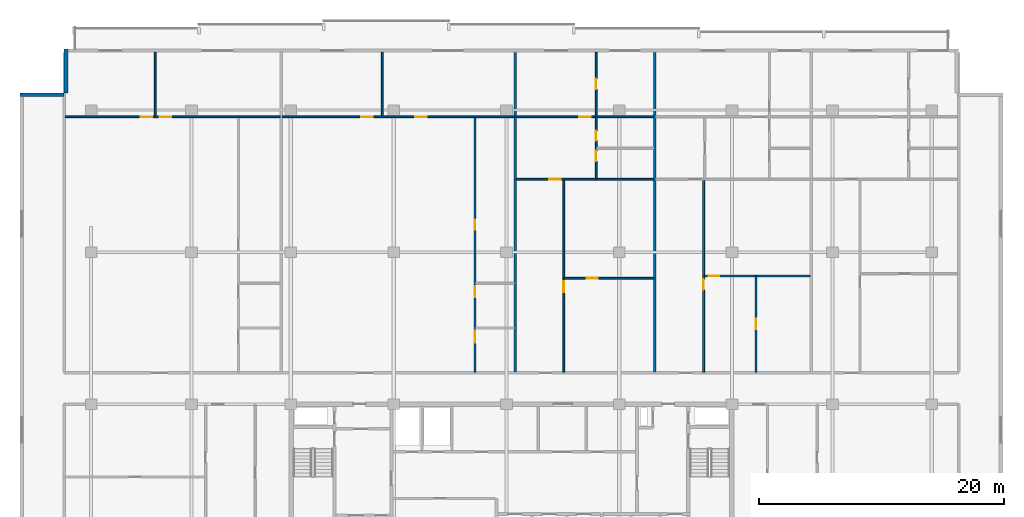
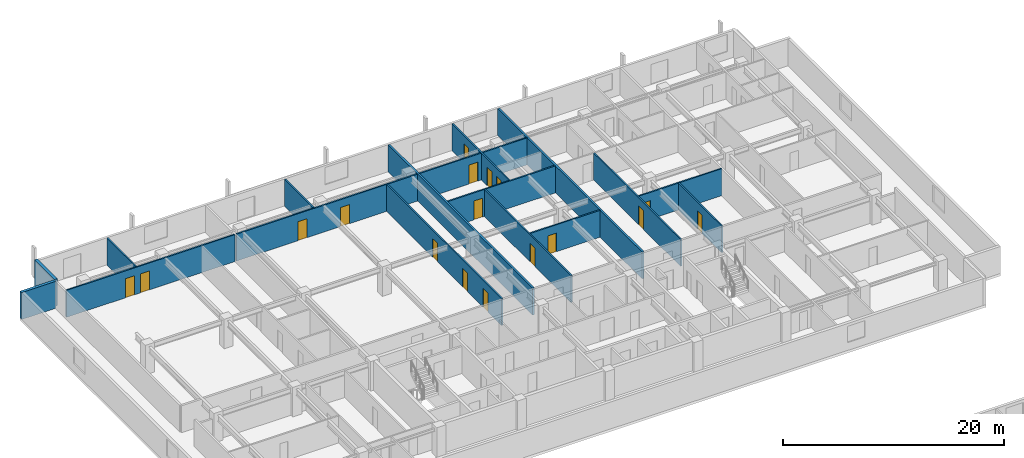
# One storey, part 13 of 21: 17 doors, 17 walls, 17 openings.
"""IFC4 building model written with IfcOpenShell, lengths in metres."""

from ifc_helpers import new_model, si_unit, direction, frame, frame_2d, origin, place, context, subcontext, project, spatial, rectangle, extrude, material, layer, layer_set, type_object, element, fill, save


model = new_model("IFC4")

# Units and contexts
model_context = context("Model", 3, precision=1e-05, world=origin(), true_north=direction((0.0, 1.0)))
body_context = subcontext(model_context, "Body", "Model", "MODEL_VIEW")
ifc_project = project(units=[si_unit("LENGTHUNIT", "METRE"), si_unit("AREAUNIT", "SQUARE_METRE"), si_unit("VOLUMEUNIT", "CUBIC_METRE"), si_unit("PLANEANGLEUNIT", "RADIAN"), si_unit("MASSUNIT", "GRAM", prefix="KILO")], contexts=[model_context])

# Site, building, storey
site_placement = place(None, origin())
site = spatial("IfcSite", under=ifc_project, at=site_placement, CompositionType="ELEMENT")
building_placement = place(site_placement, origin())
building = spatial("IfcBuilding", under=site, at=building_placement, Name="Korimba Cascade Residences", CompositionType="ELEMENT")
storey_placement = place(building_placement, frame((0.0, 0.0, 106.800048828125)))
storey = spatial("IfcBuildingStorey", under=building, at=storey_placement, Name="L30", CompositionType="ELEMENT", Elevation=106.800048828125)

# Walls
ifc_material_1 = material(Name="Precast concrete C40/50", Category="concrete")
ifc_layer_1 = layer(ifc_material_1, 0.300048828125)
ifc_layer_set_1 = layer_set([ifc_layer_1], Name="Precast concrete C40/50")
wall_type_1 = type_object("IfcWallType", Name="EW-STONE-300", PredefinedType="STANDARD", material=ifc_layer_set_1)
wall_1_placement = place(storey_placement, frame((57.75, 96.199951171875, 0.0), z_axis=(0.0, 0.0, 1.0), x_axis=(0.0, -1.0, 0.0)))
element("IfcWall", 1, at=wall_1_placement, inside=storey, type_object=wall_type_1, Name="L30 T1 Perimeter Stone Wall E07", PredefinedType="STANDARD", context=body_context, shape_type="SweptSolid", body=[
    extrude(rectangle(XDim=3.599853515625, YDim=0.300048828125, at=frame_2d((1.7998046875, 0.0))), origin(), (0.0, 0.0, 1.0), 2.969970703125),
])
wall_2_placement = place(storey_placement, frame((57.60009765625, 92.449951171875, 0.0), z_axis=(0.0, 0.0, 1.0), x_axis=(-1.0, 0.0, 0.0)))
element("IfcWall", 2, at=wall_2_placement, inside=storey, type_object=wall_type_1, Name="L30 T1 Perimeter Stone Wall E08", PredefinedType="STANDARD", context=body_context, shape_type="SweptSolid", body=[
    extrude(rectangle(XDim=3.60009765625, YDim=0.300048828125, at=frame_2d((1.800048828125, 0.0))), origin(), (0.0, 0.0, 1.0), 2.969970703125),
])
ifc_layer_2 = layer(ifc_material_1, 0.199951171875)
ifc_layer_set_2 = layer_set([ifc_layer_2], Name="Precast concrete C40/50")
wall_type_2 = type_object("IfcWallType", Name="WAL-IT-200", PredefinedType="PARTITIONING", material=ifc_layer_set_2)
for number, where, z_axis, x_axis, name in (
    (3, (94.400634765625, 69.830078125, 0.0), (0.0, 0.0, 1.0), (0.0, 1.0, 0.0), "L30 Partition Wall WAL-L30-T1-DEM-2"),
    (4, (105.816650390625, 69.830078125, 0.0), (0.0, 0.0, 1.0), (0.0, 1.0, 0.0), "L30 Partition Wall WAL-L30-T1-DEM-3"),
):
    element("IfcWall", number, at=place(storey_placement, frame(where, z_axis=z_axis, x_axis=x_axis)), inside=storey, type_object=wall_type_2, Name=name, PredefinedType="PARTITIONING", context=body_context, shape_type="SweptSolid", body=[
        extrude(rectangle(XDim=26.06982421875, YDim=0.199951171875, at=frame_2d((13.034912109375, 0.0))), origin(), (0.0, 0.0, 1.0), 2.969970703125),
    ])
ifc_material_2 = material(Name="Insulated Acoustic Stud Partition", Category="gypsum")
ifc_layer_3 = layer(ifc_material_2, 0.14990234375)
ifc_layer_set_3 = layer_set([ifc_layer_3], Name="Insulated Acoustic Stud Partition")
wall_type_3 = type_object("IfcWallType", Name="WAL-PART-150", PredefinedType="PARTITIONING", material=ifc_layer_set_3)
wall_3_placement = place(storey_placement, frame((65.042236328125, 90.72998046875, 0.0), z_axis=(0.0, 0.0, 1.0), x_axis=(0.0, 1.0, 0.0)))
element("IfcWall", 5, at=wall_3_placement, inside=storey, type_object=wall_type_3, Name="L30 Partition Wall WAL-L30-T1-U01-OUTV", PredefinedType="PARTITIONING", context=body_context, shape_type="SweptSolid", body=[
    extrude(rectangle(XDim=5.169921875, YDim=0.14990234375, at=frame_2d((2.5849609375, 0.0))), origin(), (0.0, 0.0, 1.0), 2.969970703125),
])

# Wall, openings, doors
wall_4_placement = place(storey_placement, frame((57.679931640625, 90.64990234375, 0.0), z_axis=(0.0, 0.0, 1.0), x_axis=(1.0, 0.0, 0.0)))
wall_4 = element("IfcWall", 6, at=wall_4_placement, inside=storey, type_object=wall_type_3, Name="L30 Partition Wall WAL-L30-T1-U01-HZ", PredefinedType="PARTITIONING", context=body_context, shape_type="SweptSolid", body=[
    extrude(rectangle(XDim=17.564697265625, YDim=0.14990234375, at=frame_2d((8.7822265625, 0.0))), origin(), (0.0, 0.0, 1.0), 2.969970703125),
])
opening_1_placement = place(wall_4_placement, frame((6.17236328125, 0.0, 0.0)))
opening_1 = element("IfcOpeningElement", 7, at=opening_1_placement, cuts=wall_4, Name="Opening D-IN0", PredefinedType="OPENING", context=body_context, shape_type="SweptSolid", body=[
    extrude(rectangle(XDim=0.93994140625, YDim=2.10009765625, at=frame_2d((0.469970703125, 1.050048828125))), frame((0.0, 0.0849609375, 0.0), z_axis=(0.0, -1.0, 0.0), x_axis=(1.0, 0.0, 0.0)), (0.0, 0.0, 1.0), 0.169921875),
])
opening_2_placement = place(wall_4_placement, frame((7.718994140625, 0.0, 0.0)))
opening_2 = element("IfcOpeningElement", 8, at=opening_2_placement, cuts=wall_4, Name="Opening D-IN0", PredefinedType="OPENING", context=body_context, shape_type="SweptSolid", body=[
    extrude(rectangle(XDim=0.93994140625, YDim=2.10009765625, at=frame_2d((0.469970703125, 1.050048828125))), frame((0.0, 0.0849609375, 0.0), z_axis=(0.0, -1.0, 0.0), x_axis=(1.0, 0.0, 0.0)), (0.0, 0.0, 1.0), 0.169921875),
])
ifc_material_3 = material(Name="Acoustic Timber Living Archway Door", Category="wood")
door_type_1 = type_object("IfcDoorType", Name="DR-INT-950", OperationType="NOTDEFINED", PredefinedType="DOOR", material=ifc_material_3)
door_1_placement = place(opening_1_placement, origin())
door_1 = element("IfcDoor", 9, at=door_1_placement, inside=storey, type_object=door_type_1, Name="L30-T1-U01 Fitness Pilates Gym Door", OperationType="SINGLE_SWING_RIGHT", OverallHeight=2.10009765625, OverallWidth=0.93994140625, PredefinedType="DOOR", context=body_context, shape_type="SweptSolid", body=[
    extrude(rectangle(XDim=0.93994140625, YDim=2.10009765625, at=frame_2d((0.469970703125, 1.050048828125))), frame((0.0, 0.02490234375, 0.0), z_axis=(0.0, -1.0, 0.0), x_axis=(1.0, 0.0, 0.0)), (0.0, 0.0, 1.0), 0.050048828125),
])
fill(opening_1, door_1)
door_2_placement = place(opening_2_placement, origin())
door_2 = element("IfcDoor", 10, at=door_2_placement, inside=storey, type_object=door_type_1, Name="L30-T1-U01 Private Screening Cinema Door", OperationType="SINGLE_SWING_LEFT", OverallHeight=2.10009765625, OverallWidth=0.93994140625, PredefinedType="DOOR", context=body_context, shape_type="SweptSolid", body=[
    extrude(rectangle(XDim=0.93994140625, YDim=2.10009765625, at=frame_2d((0.469970703125, 1.050048828125))), frame((0.0, 0.02490234375, 0.0), z_axis=(0.0, -1.0, 0.0), x_axis=(1.0, 0.0, 0.0)), (0.0, 0.0, 1.0), 0.050048828125),
])
fill(opening_2, door_2)

wall_5_placement = place(storey_placement, frame((91.130615234375, 69.81005859375, 0.0), z_axis=(0.0, 0.0, 1.0), x_axis=(0.0, 1.0, 0.0)))
wall_5 = element("IfcWall", 11, at=wall_5_placement, inside=storey, type_object=wall_type_3, Name="L30 Partition Wall WAL-L30-T1-U02-WCV", PredefinedType="PARTITIONING", context=body_context, shape_type="SweptSolid", body=[
    extrude(rectangle(XDim=20.780029296875, YDim=0.14990234375, at=frame_2d((10.39013671875, 0.0))), origin(), (0.0, 0.0, 1.0), 2.969970703125),
])
opening_3_placement = place(wall_5_placement, frame((2.406005859375, 0.0, 0.0)))
opening_3 = element("IfcOpeningElement", 12, at=opening_3_placement, cuts=wall_5, Name="Opening D-AC1", PredefinedType="OPENING", context=body_context, shape_type="SweptSolid", body=[
    extrude(rectangle(XDim=0.9599609375, YDim=2.10009765625, at=frame_2d((0.47998046875, 1.050048828125))), frame((0.0, 0.0849609375, 0.0), z_axis=(0.0, -1.0, 0.0), x_axis=(1.0, 0.0, 0.0)), (0.0, 0.0, 1.0), 0.169921875),
])
opening_4_placement = place(wall_5_placement, frame((6.132568359375, 0.0, 0.0)))
opening_4 = element("IfcOpeningElement", 13, at=opening_4_placement, cuts=wall_5, Name="Opening D-IN2", PredefinedType="OPENING", context=body_context, shape_type="SweptSolid", body=[
    extrude(rectangle(XDim=0.8798828125, YDim=2.06005859375, at=frame_2d((0.43994140625, 1.030029296875))), frame((0.0, 0.0849609375, 0.0), z_axis=(0.0, -1.0, 0.0), x_axis=(1.0, 0.0, 0.0)), (0.0, 0.0, 1.0), 0.169921875),
])
opening_5_placement = place(wall_5_placement, frame((11.61474609375, 0.0, 0.0)))
opening_5 = element("IfcOpeningElement", 14, at=opening_5_placement, cuts=wall_5, Name="Opening D-BT1", PredefinedType="OPENING", context=body_context, shape_type="SweptSolid", body=[
    extrude(rectangle(XDim=0.840087890625, YDim=2.0400390625, at=frame_2d((0.419921875, 1.02001953125))), frame((0.0, 0.0849609375, 0.0), z_axis=(0.0, -1.0, 0.0), x_axis=(1.0, 0.0, 0.0)), (0.0, 0.0, 1.0), 0.169921875),
])
ifc_material_4 = material(Name="Accessible Acoustic Timber WC Door", Category="wood")
door_type_2 = type_object("IfcDoorType", Name="DR-ACC-950", OperationType="NOTDEFINED", PredefinedType="DOOR", material=ifc_material_4)
door_3_placement = place(opening_3_placement, origin())
door_3 = element("IfcDoor", 15, at=door_3_placement, inside=storey, type_object=door_type_2, Name="L30-T1-U02 Accessible WC Door", OperationType="SINGLE_SWING_RIGHT", OverallHeight=2.10009765625, OverallWidth=0.9599609375, PredefinedType="DOOR", context=body_context, shape_type="SweptSolid", body=[
    extrude(rectangle(XDim=0.9599609375, YDim=2.10009765625, at=frame_2d((0.47998046875, 1.050048828125))), frame((0.0, 0.02490234375, 0.0), z_axis=(0.0, -1.0, 0.0), x_axis=(1.0, 0.0, 0.0)), (0.0, 0.0, 1.0), 0.050048828125),
])
fill(opening_3, door_3)
ifc_material_5 = material(Name="Moisture-Resistant Bathroom Timber Door", Category="wood")
door_type_3 = type_object("IfcDoorType", Name="DR-INT-850", OperationType="NOTDEFINED", PredefinedType="DOOR", material=ifc_material_5)
door_4_placement = place(opening_5_placement, origin())
door_4 = element("IfcDoor", 16, at=door_4_placement, inside=storey, type_object=door_type_3, Name="L30-T1-U02 Suite Store Door", OperationType="SINGLE_SWING_RIGHT", OverallHeight=2.0400390625, OverallWidth=0.840087890625, PredefinedType="DOOR", context=body_context, shape_type="SweptSolid", body=[
    extrude(rectangle(XDim=0.840087890625, YDim=2.0400390625, at=frame_2d((0.419921875, 1.02001953125))), frame((0.0, 0.02490234375, 0.0), z_axis=(0.0, -1.0, 0.0), x_axis=(1.0, 0.0, 0.0)), (0.0, 0.0, 1.0), 0.050048828125),
])
fill(opening_5, door_4)
ifc_material_6 = material(Name="Acoustic Timber Bedroom Door", Category="wood")
door_type_4 = type_object("IfcDoorType", Name="DR-INT-880", OperationType="NOTDEFINED", PredefinedType="DOOR", material=ifc_material_6)
door_5_placement = place(opening_4_placement, origin())
door_5 = element("IfcDoor", 17, at=door_5_placement, inside=storey, type_object=door_type_4, Name="L30-T1-U02 Restroom WC Door", OperationType="SINGLE_SWING_LEFT", OverallHeight=2.06005859375, OverallWidth=0.8798828125, PredefinedType="DOOR", context=body_context, shape_type="SweptSolid", body=[
    extrude(rectangle(XDim=0.8798828125, YDim=2.06005859375, at=frame_2d((0.43994140625, 1.030029296875))), frame((0.0, 0.02490234375, 0.0), z_axis=(0.0, -1.0, 0.0), x_axis=(1.0, 0.0, 0.0)), (0.0, 0.0, 1.0), 0.050048828125),
])
fill(opening_4, door_5)

# Wall
wall_6_placement = place(storey_placement, frame((83.5576171875, 90.72998046875, 0.0), z_axis=(0.0, 0.0, 1.0), x_axis=(0.0, 1.0, 0.0)))
element("IfcWall", 18, at=wall_6_placement, inside=storey, type_object=wall_type_3, Name="L30 Partition Wall WAL-L30-T1-U02-OUTV", PredefinedType="PARTITIONING", context=body_context, shape_type="SweptSolid", body=[
    extrude(rectangle(XDim=5.169921875, YDim=0.14990234375, at=frame_2d((2.5849609375, 0.0))), origin(), (0.0, 0.0, 1.0), 2.969970703125),
])

# Wall, openings, doors
wall_7_placement = place(storey_placement, frame((75.40478515625, 90.64990234375, 0.0), z_axis=(0.0, 0.0, 1.0), x_axis=(1.0, 0.0, 0.0)))
wall_7 = element("IfcWall", 19, at=wall_7_placement, inside=storey, type_object=wall_type_3, Name="L30 Partition Wall WAL-L30-T1-U02-HZ", PredefinedType="PARTITIONING", context=body_context, shape_type="SweptSolid", body=[
    extrude(rectangle(XDim=18.915771484375, YDim=0.14990234375, at=frame_2d((9.4580078125, 0.0))), origin(), (0.0, 0.0, 1.0), 2.969970703125),
])
opening_6_placement = place(wall_7_placement, frame((6.42578125, 0.0, 0.0)))
opening_6 = element("IfcOpeningElement", 20, at=opening_6_placement, cuts=wall_7, Name="Opening D-IN0", PredefinedType="OPENING", context=body_context, shape_type="SweptSolid", body=[
    extrude(rectangle(XDim=0.93994140625, YDim=2.10009765625, at=frame_2d((0.469970703125, 1.050048828125))), frame((0.0, 0.0849609375, 0.0), z_axis=(0.0, -1.0, 0.0), x_axis=(1.0, 0.0, 0.0)), (0.0, 0.0, 1.0), 0.169921875),
])
opening_7_placement = place(wall_7_placement, frame((10.856201171875, 0.0, 0.0)))
opening_7 = element("IfcOpeningElement", 21, at=opening_7_placement, cuts=wall_7, Name="Opening D-IN0", PredefinedType="OPENING", context=body_context, shape_type="SweptSolid", body=[
    extrude(rectangle(XDim=0.93994140625, YDim=2.10009765625, at=frame_2d((0.469970703125, 1.050048828125))), frame((0.0, 0.0849609375, 0.0), z_axis=(0.0, -1.0, 0.0), x_axis=(1.0, 0.0, 0.0)), (0.0, 0.0, 1.0), 0.169921875),
])
door_6_placement = place(opening_6_placement, origin())
door_6 = element("IfcDoor", 22, at=door_6_placement, inside=storey, type_object=door_type_1, Name="L30-T1-U02 Fitness Pilates Gym Door", OperationType="SINGLE_SWING_LEFT", OverallHeight=2.10009765625, OverallWidth=0.93994140625, PredefinedType="DOOR", context=body_context, shape_type="SweptSolid", body=[
    extrude(rectangle(XDim=0.93994140625, YDim=2.10009765625, at=frame_2d((0.469970703125, 1.050048828125))), frame((0.0, 0.02490234375, 0.0), z_axis=(0.0, -1.0, 0.0), x_axis=(1.0, 0.0, 0.0)), (0.0, 0.0, 1.0), 0.050048828125),
])
fill(opening_6, door_6)
door_7_placement = place(opening_7_placement, origin())
door_7 = element("IfcDoor", 23, at=door_7_placement, inside=storey, type_object=door_type_1, Name="L30-T1-U02 Private Screening Cinema Door", OperationType="SINGLE_SWING_RIGHT", OverallHeight=2.10009765625, OverallWidth=0.93994140625, PredefinedType="DOOR", context=body_context, shape_type="SweptSolid", body=[
    extrude(rectangle(XDim=0.93994140625, YDim=2.10009765625, at=frame_2d((0.469970703125, 1.050048828125))), frame((0.0, 0.02490234375, 0.0), z_axis=(0.0, -1.0, 0.0), x_axis=(1.0, 0.0, 0.0)), (0.0, 0.0, 1.0), 0.050048828125),
])
fill(opening_7, door_7)

# Wall, opening, door
wall_8_placement = place(storey_placement, frame((98.4306640625, 77.47998046875, 0.0), z_axis=(0.0, 0.0, 1.0), x_axis=(1.0, 0.0, 0.0)))
wall_8 = element("IfcWall", 24, at=wall_8_placement, inside=storey, type_object=wall_type_3, Name="L30 Partition Wall WAL-L30-T1-U03-FMH", PredefinedType="PARTITIONING", context=body_context, shape_type="SweptSolid", body=[
    extrude(rectangle(XDim=7.305908203125, YDim=0.14990234375, at=frame_2d((3.65283203125, 0.0))), origin(), (0.0, 0.0, 1.0), 2.969970703125),
])
opening_8_placement = place(wall_8_placement, frame((1.8388671875, 0.0, 0.0)))
opening_8 = element("IfcOpeningElement", 25, at=opening_8_placement, cuts=wall_8, Name="Opening D-IN2", PredefinedType="OPENING", context=body_context, shape_type="SweptSolid", body=[
    extrude(rectangle(XDim=0.8798828125, YDim=2.06005859375, at=frame_2d((0.43994140625, 1.030029296875))), frame((0.0, 0.0849609375, 0.0), z_axis=(0.0, -1.0, 0.0), x_axis=(1.0, 0.0, 0.0)), (0.0, 0.0, 1.0), 0.169921875),
])
door_8_placement = place(opening_8_placement, origin())
door_8 = element("IfcDoor", 26, at=door_8_placement, inside=storey, type_object=door_type_4, Name="L30-T1-U03 Library Salon Door", OperationType="SINGLE_SWING_LEFT", OverallHeight=2.06005859375, OverallWidth=0.8798828125, PredefinedType="DOOR", context=body_context, shape_type="SweptSolid", body=[
    extrude(rectangle(XDim=0.8798828125, YDim=2.06005859375, at=frame_2d((0.43994140625, 1.030029296875))), frame((0.0, 0.02490234375, 0.0), z_axis=(0.0, -1.0, 0.0), x_axis=(1.0, 0.0, 0.0)), (0.0, 0.0, 1.0), 0.050048828125),
])
fill(opening_8, door_8)

wall_9_placement = place(storey_placement, frame((98.37060546875, 69.81005859375, 0.0), z_axis=(0.0, 0.0, 1.0), x_axis=(0.0, 1.0, 0.0)))
wall_9 = element("IfcWall", 27, at=wall_9_placement, inside=storey, type_object=wall_type_3, Name="L30 Partition Wall WAL-L30-T1-U03-FV", PredefinedType="PARTITIONING", context=body_context, shape_type="SweptSolid", body=[
    extrude(rectangle(XDim=15.699951171875, YDim=0.14990234375, at=frame_2d((7.85009765625, 0.0))), origin(), (0.0, 0.0, 1.0), 2.969970703125),
])
opening_9_placement = place(wall_9_placement, frame((6.5400390625, 0.0, 0.0)))
opening_9 = element("IfcOpeningElement", 28, at=opening_9_placement, cuts=wall_9, Name="Opening D-IN2", PredefinedType="OPENING", context=body_context, shape_type="SweptSolid", body=[
    extrude(rectangle(XDim=0.8798828125, YDim=2.06005859375, at=frame_2d((0.43994140625, 1.030029296875))), frame((0.0, 0.0849609375, 0.0), z_axis=(0.0, -1.0, 0.0), x_axis=(1.0, 0.0, 0.0)), (0.0, 0.0, 1.0), 0.169921875),
])
door_9_placement = place(opening_9_placement, origin())
door_9 = element("IfcDoor", 29, at=door_9_placement, inside=storey, type_object=door_type_4, Name="L30-T1-U03 Media Lounge Door", OperationType="SINGLE_SWING_RIGHT", OverallHeight=2.06005859375, OverallWidth=0.8798828125, PredefinedType="DOOR", context=body_context, shape_type="SweptSolid", body=[
    extrude(rectangle(XDim=0.8798828125, YDim=2.06005859375, at=frame_2d((0.43994140625, 1.030029296875))), frame((0.0, 0.02490234375, 0.0), z_axis=(0.0, -1.0, 0.0), x_axis=(1.0, 0.0, 0.0)), (0.0, 0.0, 1.0), 0.050048828125),
])
fill(opening_9, door_9)

# Wall, openings, doors
wall_10_placement = place(storey_placement, frame((101.02001953125, 85.590087890625, 0.0), z_axis=(0.0, 0.0, 1.0), x_axis=(0.0, 1.0, 0.0)))
wall_10 = element("IfcWall", 30, at=wall_10_placement, inside=storey, type_object=wall_type_3, Name="L30 Partition Wall WAL-L30-T1-U03-V1", PredefinedType="PARTITIONING", context=body_context, shape_type="SweptSolid", body=[
    extrude(rectangle(XDim=10.309814453125, YDim=0.14990234375, at=frame_2d((5.15478515625, 0.0))), origin(), (0.0, 0.0, 1.0), 2.969970703125),
])
opening_10_placement = place(wall_10_placement, frame((1.430419921875, 0.0, 0.0)))
opening_10 = element("IfcOpeningElement", 31, at=opening_10_placement, cuts=wall_10, Name="Opening D-BT1", PredefinedType="OPENING", context=body_context, shape_type="SweptSolid", body=[
    extrude(rectangle(XDim=0.840087890625, YDim=2.0400390625, at=frame_2d((0.419921875, 1.02001953125))), frame((0.0, 0.0849609375, 0.0), z_axis=(0.0, -1.0, 0.0), x_axis=(1.0, 0.0, 0.0)), (0.0, 0.0, 1.0), 0.169921875),
])
opening_11_placement = place(wall_10_placement, frame((3.1015625, 0.0, 0.0)))
opening_11 = element("IfcOpeningElement", 32, at=opening_11_placement, cuts=wall_10, Name="Opening D-BT1", PredefinedType="OPENING", context=body_context, shape_type="SweptSolid", body=[
    extrude(rectangle(XDim=0.840087890625, YDim=2.0400390625, at=frame_2d((0.419921875, 1.02001953125))), frame((0.0, 0.0849609375, 0.0), z_axis=(0.0, -1.0, 0.0), x_axis=(1.0, 0.0, 0.0)), (0.0, 0.0, 1.0), 0.169921875),
])
opening_12_placement = place(wall_10_placement, frame((7.28955078125, 0.0, 0.0)))
opening_12 = element("IfcOpeningElement", 33, at=opening_12_placement, cuts=wall_10, Name="Opening D-IN2", PredefinedType="OPENING", context=body_context, shape_type="SweptSolid", body=[
    extrude(rectangle(XDim=0.8798828125, YDim=2.06005859375, at=frame_2d((0.43994140625, 1.030029296875))), frame((0.0, 0.0849609375, 0.0), z_axis=(0.0, -1.0, 0.0), x_axis=(1.0, 0.0, 0.0)), (0.0, 0.0, 1.0), 0.169921875),
])
door_10_placement = place(opening_10_placement, origin())
door_10 = element("IfcDoor", 34, at=door_10_placement, inside=storey, type_object=door_type_3, Name="L30-T1-U03 Bathroom Door", OperationType="SINGLE_SWING_LEFT", OverallHeight=2.0400390625, OverallWidth=0.840087890625, PredefinedType="DOOR", context=body_context, shape_type="SweptSolid", body=[
    extrude(rectangle(XDim=0.840087890625, YDim=2.0400390625, at=frame_2d((0.419921875, 1.02001953125))), frame((0.0, 0.02490234375, 0.0), z_axis=(0.0, -1.0, 0.0), x_axis=(1.0, 0.0, 0.0)), (0.0, 0.0, 1.0), 0.050048828125),
])
fill(opening_10, door_10)
door_11_placement = place(opening_11_placement, origin())
door_11 = element("IfcDoor", 35, at=door_11_placement, inside=storey, type_object=door_type_3, Name="L30-T1-U03 Laundry Door", OperationType="SINGLE_SWING_RIGHT", OverallHeight=2.0400390625, OverallWidth=0.840087890625, PredefinedType="DOOR", context=body_context, shape_type="SweptSolid", body=[
    extrude(rectangle(XDim=0.840087890625, YDim=2.0400390625, at=frame_2d((0.419921875, 1.02001953125))), frame((0.0, 0.02490234375, 0.0), z_axis=(0.0, -1.0, 0.0), x_axis=(1.0, 0.0, 0.0)), (0.0, 0.0, 1.0), 0.050048828125),
])
fill(opening_11, door_11)
door_12_placement = place(opening_12_placement, origin())
door_12 = element("IfcDoor", 36, at=door_12_placement, inside=storey, type_object=door_type_4, Name="L30-T1-U03 Bedroom 1 Door", OperationType="SINGLE_SWING_LEFT", OverallHeight=2.06005859375, OverallWidth=0.8798828125, PredefinedType="DOOR", context=body_context, shape_type="SweptSolid", body=[
    extrude(rectangle(XDim=0.8798828125, YDim=2.06005859375, at=frame_2d((0.43994140625, 1.030029296875))), frame((0.0, 0.02490234375, 0.0), z_axis=(0.0, -1.0, 0.0), x_axis=(1.0, 0.0, 0.0)), (0.0, 0.0, 1.0), 0.050048828125),
])
fill(opening_12, door_12)

# Wall, opening, door
wall_11_placement = place(storey_placement, frame((94.480712890625, 85.550048828125, 0.0), z_axis=(0.0, 0.0, 1.0), x_axis=(1.0, 0.0, 0.0)))
wall_11 = element("IfcWall", 37, at=wall_11_placement, inside=storey, type_object=wall_type_3, Name="L30 Partition Wall WAL-L30-T1-U03-MW", PredefinedType="PARTITIONING", context=body_context, shape_type="SweptSolid", body=[
    extrude(rectangle(XDim=11.255859375, YDim=0.14990234375, at=frame_2d((5.6279296875, 0.0))), origin(), (0.0, 0.0, 1.0), 2.969970703125),
])
opening_13_placement = place(wall_11_placement, frame((2.719970703125, 0.0, 0.0)))
opening_13 = element("IfcOpeningElement", 38, at=opening_13_placement, cuts=wall_11, Name="Opening D-IN1", PredefinedType="OPENING", context=body_context, shape_type="SweptSolid", body=[
    extrude(rectangle(XDim=0.919921875, YDim=2.080078125, at=frame_2d((0.4599609375, 1.0400390625))), frame((0.0, 0.0849609375, 0.0), z_axis=(0.0, -1.0, 0.0), x_axis=(1.0, 0.0, 0.0)), (0.0, 0.0, 1.0), 0.169921875),
])
ifc_material_7 = material(Name="Acoustic Timber Living Door", Category="wood")
door_type_5 = type_object("IfcDoorType", Name="DR-INT-920", OperationType="NOTDEFINED", PredefinedType="DOOR", material=ifc_material_7)
door_13_placement = place(opening_13_placement, origin())
door_13 = element("IfcDoor", 39, at=door_13_placement, inside=storey, type_object=door_type_5, Name="L30-T1-U03 Kitchen Archway Door", OperationType="SINGLE_SWING_RIGHT", OverallHeight=2.080078125, OverallWidth=0.919921875, PredefinedType="DOOR", context=body_context, shape_type="SweptSolid", body=[
    extrude(rectangle(XDim=0.919921875, YDim=2.080078125, at=frame_2d((0.4599609375, 1.0400390625))), frame((0.0, 0.02490234375, 0.0), z_axis=(0.0, -1.0, 0.0), x_axis=(1.0, 0.0, 0.0)), (0.0, 0.0, 1.0), 0.050048828125),
])
fill(opening_13, door_13)

wall_12_placement = place(storey_placement, frame((94.480712890625, 90.64990234375, 0.0), z_axis=(0.0, 0.0, 1.0), x_axis=(1.0, 0.0, 0.0)))
wall_12 = element("IfcWall", 40, at=wall_12_placement, inside=storey, type_object=wall_type_3, Name="L30 Partition Wall WAL-L30-T1-U03-HZ", PredefinedType="PARTITIONING", context=body_context, shape_type="SweptSolid", body=[
    extrude(rectangle(XDim=11.255859375, YDim=0.14990234375, at=frame_2d((5.6279296875, 0.0))), origin(), (0.0, 0.0, 1.0), 2.969970703125),
])
opening_14_placement = place(wall_12_placement, frame((5.157958984375, 0.0, 0.0)))
opening_14 = element("IfcOpeningElement", 41, at=opening_14_placement, cuts=wall_12, Name="Opening D-IN0", PredefinedType="OPENING", context=body_context, shape_type="SweptSolid", body=[
    extrude(rectangle(XDim=0.93994140625, YDim=2.10009765625, at=frame_2d((0.469970703125, 1.050048828125))), frame((0.0, 0.0849609375, 0.0), z_axis=(0.0, -1.0, 0.0), x_axis=(1.0, 0.0, 0.0)), (0.0, 0.0, 1.0), 0.169921875),
])
door_14_placement = place(opening_14_placement, origin())
door_14 = element("IfcDoor", 42, at=door_14_placement, inside=storey, type_object=door_type_1, Name="L30-T1-U03 Living Archway Door", OperationType="SINGLE_SWING_LEFT", OverallHeight=2.10009765625, OverallWidth=0.93994140625, PredefinedType="DOOR", context=body_context, shape_type="SweptSolid", body=[
    extrude(rectangle(XDim=0.93994140625, YDim=2.10009765625, at=frame_2d((0.469970703125, 1.050048828125))), frame((0.0, 0.02490234375, 0.0), z_axis=(0.0, -1.0, 0.0), x_axis=(1.0, 0.0, 0.0)), (0.0, 0.0, 1.0), 0.050048828125),
])
fill(opening_14, door_14)

wall_13_placement = place(storey_placement, frame((114.055419921875, 69.81005859375, 0.0), z_axis=(0.0, 0.0, 1.0), x_axis=(0.0, 1.0, 0.0)))
wall_13 = element("IfcWall", 43, at=wall_13_placement, inside=storey, type_object=wall_type_3, Name="L30 Partition Wall WAL-L30-T1-U04-FMV", PredefinedType="PARTITIONING", context=body_context, shape_type="SweptSolid", body=[
    extrude(rectangle(XDim=7.849853515625, YDim=0.14990234375, at=frame_2d((3.9248046875, 0.0))), origin(), (0.0, 0.0, 1.0), 2.969970703125),
])
opening_15_placement = place(wall_13_placement, frame((3.5048828125, 0.0, 0.0)))
opening_15 = element("IfcOpeningElement", 44, at=opening_15_placement, cuts=wall_13, Name="Opening D-BT1", PredefinedType="OPENING", context=body_context, shape_type="SweptSolid", body=[
    extrude(rectangle(XDim=0.840087890625, YDim=2.0400390625, at=frame_2d((0.419921875, 1.02001953125))), frame((0.0, 0.0849609375, 0.0), z_axis=(0.0, -1.0, 0.0), x_axis=(1.0, 0.0, 0.0)), (0.0, 0.0, 1.0), 0.169921875),
])
door_15_placement = place(opening_15_placement, origin())
door_15 = element("IfcDoor", 45, at=door_15_placement, inside=storey, type_object=door_type_3, Name="L30-T1-U04 Wardrobe Door", OperationType="SINGLE_SWING_RIGHT", OverallHeight=2.0400390625, OverallWidth=0.840087890625, PredefinedType="DOOR", context=body_context, shape_type="SweptSolid", body=[
    extrude(rectangle(XDim=0.840087890625, YDim=2.0400390625, at=frame_2d((0.419921875, 1.02001953125))), frame((0.0, 0.02490234375, 0.0), z_axis=(0.0, -1.0, 0.0), x_axis=(1.0, 0.0, 0.0)), (0.0, 0.0, 1.0), 0.050048828125),
])
fill(opening_15, door_15)

wall_14_placement = place(storey_placement, frame((109.8466796875, 77.659912109375, 0.0), z_axis=(0.0, 0.0, 1.0), x_axis=(1.0, 0.0, 0.0)))
wall_14 = element("IfcWall", 46, at=wall_14_placement, inside=storey, type_object=wall_type_3, Name="L30 Partition Wall WAL-L30-T1-U04-FMH", PredefinedType="PARTITIONING", context=body_context, shape_type="SweptSolid", body=[
    extrude(rectangle(XDim=8.6572265625, YDim=0.14990234375, at=frame_2d((4.32861328125, 0.0))), origin(), (0.0, 0.0, 1.0), 2.969970703125),
])
opening_16_placement = place(wall_14_placement, frame((0.35009765625, 0.0, 0.0)))
opening_16 = element("IfcOpeningElement", 47, at=opening_16_placement, cuts=wall_14, Name="Opening D-IN2", PredefinedType="OPENING", context=body_context, shape_type="SweptSolid", body=[
    extrude(rectangle(XDim=0.8798828125, YDim=2.06005859375, at=frame_2d((0.43994140625, 1.030029296875))), frame((0.0, 0.0849609375, 0.0), z_axis=(0.0, -1.0, 0.0), x_axis=(1.0, 0.0, 0.0)), (0.0, 0.0, 1.0), 0.169921875),
])
door_16_placement = place(opening_16_placement, origin())
door_16 = element("IfcDoor", 48, at=door_16_placement, inside=storey, type_object=door_type_4, Name="L30-T1-U04 Library Salon Door", OperationType="SINGLE_SWING_LEFT", OverallHeight=2.06005859375, OverallWidth=0.8798828125, PredefinedType="DOOR", context=body_context, shape_type="SweptSolid", body=[
    extrude(rectangle(XDim=0.8798828125, YDim=2.06005859375, at=frame_2d((0.43994140625, 1.030029296875))), frame((0.0, 0.02490234375, 0.0), z_axis=(0.0, -1.0, 0.0), x_axis=(1.0, 0.0, 0.0)), (0.0, 0.0, 1.0), 0.050048828125),
])
fill(opening_16, door_16)

wall_15_placement = place(storey_placement, frame((109.78662109375, 69.81005859375, 0.0), z_axis=(0.0, 0.0, 1.0), x_axis=(0.0, 1.0, 0.0)))
wall_15 = element("IfcWall", 49, at=wall_15_placement, inside=storey, type_object=wall_type_3, Name="L30 Partition Wall WAL-L30-T1-U04-FV", PredefinedType="PARTITIONING", context=body_context, shape_type="SweptSolid", body=[
    extrude(rectangle(XDim=15.699951171875, YDim=0.14990234375, at=frame_2d((7.85009765625, 0.0))), origin(), (0.0, 0.0, 1.0), 2.969970703125),
])
opening_17_placement = place(wall_15_placement, frame((6.719970703125, 0.0, 0.0)))
opening_17 = element("IfcOpeningElement", 50, at=opening_17_placement, cuts=wall_15, Name="Opening D-IN2", PredefinedType="OPENING", context=body_context, shape_type="SweptSolid", body=[
    extrude(rectangle(XDim=0.8798828125, YDim=2.06005859375, at=frame_2d((0.43994140625, 1.030029296875))), frame((0.0, 0.0849609375, 0.0), z_axis=(0.0, -1.0, 0.0), x_axis=(1.0, 0.0, 0.0)), (0.0, 0.0, 1.0), 0.169921875),
])
door_17_placement = place(opening_17_placement, origin())
door_17 = element("IfcDoor", 51, at=door_17_placement, inside=storey, type_object=door_type_4, Name="L30-T1-U04 Media Lounge Door", OperationType="SINGLE_SWING_RIGHT", OverallHeight=2.06005859375, OverallWidth=0.8798828125, PredefinedType="DOOR", context=body_context, shape_type="SweptSolid", body=[
    extrude(rectangle(XDim=0.8798828125, YDim=2.06005859375, at=frame_2d((0.43994140625, 1.030029296875))), frame((0.0, 0.02490234375, 0.0), z_axis=(0.0, -1.0, 0.0), x_axis=(1.0, 0.0, 0.0)), (0.0, 0.0, 1.0), 0.050048828125),
])
fill(opening_17, door_17)

save(model, "model.ifc")
